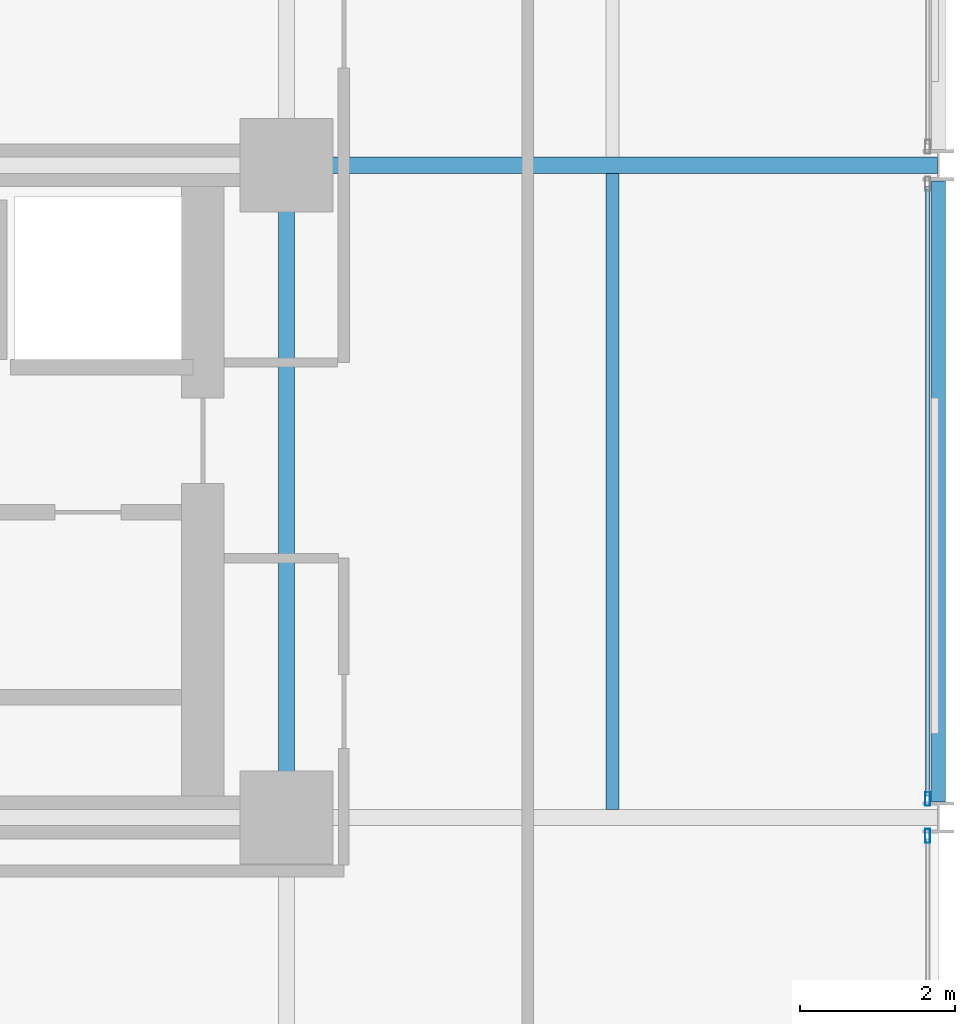
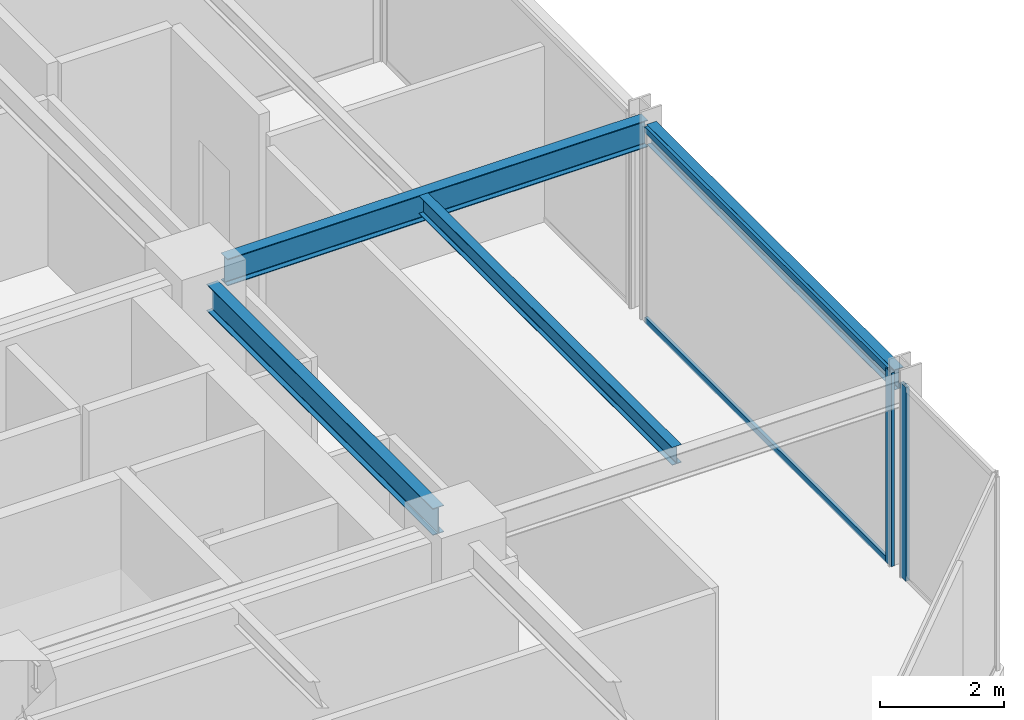
# One storey, part 14 of 29: 4 beams, 4 members, 2 elements without a shape of their own.
"""IFC4 building model written with IfcOpenShell, lengths in metres."""

from ifc_helpers import new_model, si_unit, direction, frame, origin, origin_2d, place, context, subcontext, project, spatial, hollow_rectangle, i_section, extrude, material, layer, layer_set, material_profile, profile_set, type_object, element, aggregate, save


model = new_model("IFC4")

# Units and contexts
model_context = context("Model", 3, precision=1e-05, world=origin(), true_north=direction((0.0, 1.0)))
body_context = subcontext(model_context, "Body", "Model", "MODEL_VIEW")
ifc_project = project(units=[si_unit("LENGTHUNIT", "METRE"), si_unit("AREAUNIT", "SQUARE_METRE"), si_unit("VOLUMEUNIT", "CUBIC_METRE"), si_unit("PLANEANGLEUNIT", "RADIAN"), si_unit("MASSUNIT", "GRAM", prefix="KILO")], contexts=[model_context])

# Site, building, storey
site_placement = place(None, origin())
site = spatial("IfcSite", under=ifc_project, at=site_placement, CompositionType="ELEMENT")
building_placement = place(site_placement, origin())
building = spatial("IfcBuilding", under=site, at=building_placement, Name="Nerrivon Quay Data Exchange", CompositionType="ELEMENT")
storey_placement = place(building_placement, frame((0.0, 0.0, 150.0)))
storey = spatial("IfcBuildingStorey", under=building, at=storey_placement, Name="L35", CompositionType="ELEMENT", Elevation=150.0)

# Beams
ifc_material_1 = material(Name="Steel Grade 350", Category="steel")
ifc_material_profile_1 = material_profile(ifc_material_1, i_section(OverallWidth=0.208984375, OverallDepth=0.532958984375, WebThickness=0.01025390625, FlangeThickness=0.015625, FilletRadius=0.013916015625, at=origin_2d()), Name="530UB92.4")
ifc_profile_set_1 = profile_set([ifc_material_profile_1], Name="Steel Grade 350")
beam_type_1 = type_object("IfcBeamType", Name="BM-G3-530UB92", PredefinedType="BEAM", material=ifc_profile_set_1)
beam_1_placement = place(storey_placement, frame((34.139892578125, 16.800048828125, 3.55859375), z_axis=(1.0, 0.0, 0.0), x_axis=(0.0, 1.0, 0.0)))
element("IfcBeam", 1, at=beam_1_placement, inside=storey, type_object=beam_type_1, Name="L35 EW Girder Y=16.8 (33.6..42.0)", PredefinedType="BEAM", context=body_context, shape_type="SweptSolid", body=[
    extrude(i_section(OverallWidth=0.208984375, OverallDepth=0.532958984375, WebThickness=0.01025390625, FlangeThickness=0.015625, FilletRadius=0.013916015625, at=origin_2d()), origin(), (0.0, 0.0, 1.0), 7.84765625),
])
ifc_material_profile_2 = material_profile(ifc_material_1, i_section(OverallWidth=0.208984375, OverallDepth=0.528076171875, WebThickness=0.009521484375, FlangeThickness=0.01318359375, FilletRadius=0.013916015625, at=origin_2d()), Name="530UB82.0")
ifc_profile_set_2 = profile_set([ifc_material_profile_2], Name="Steel Grade 350")
beam_type_2 = type_object("IfcBeamType", Name="BM-G4-530UB82", PredefinedType="BEAM", material=ifc_profile_set_2)
beam_2_placement = place(storey_placement, frame((33.60009765625, 8.93994140625, 3.56103515625), z_axis=(0.0, 1.0, 0.0), x_axis=(-1.0, 0.0, 0.0)))
element("IfcBeam", 2, at=beam_2_placement, inside=storey, type_object=beam_type_2, Name="L35 NS Girder X=33.6 (8.4..16.8)", PredefinedType="BEAM", context=body_context, shape_type="SweptSolid", body=[
    extrude(i_section(OverallWidth=0.208984375, OverallDepth=0.528076171875, WebThickness=0.009521484375, FlangeThickness=0.01318359375, FilletRadius=0.013916015625, at=origin_2d()), origin(), (0.0, 0.0, 1.0), 7.320068359375),
])
ifc_material_profile_3 = material_profile(ifc_material_1, i_section(OverallWidth=0.1708984375, OverallDepth=0.35595703125, WebThickness=0.00732421875, FlangeThickness=0.011474609375, FilletRadius=0.011474609375, at=origin_2d()), Name="360UB50.7")
ifc_profile_set_3 = profile_set([ifc_material_profile_3], Name="Steel Grade 350")
beam_type_3 = type_object("IfcBeamType", Name="BM-J4-360UB51", PredefinedType="JOIST", material=ifc_profile_set_3)
beam_3_placement = place(storey_placement, frame((37.800048828125, 8.50439453125, 3.64697265625), z_axis=(0.0, 1.0, 0.0), x_axis=(-1.0, 0.0, 0.0)))
element("IfcBeam", 3, at=beam_3_placement, inside=storey, type_object=beam_type_3, Name="L35 Secondary Joist X=37.8 (8.4..16.8)", PredefinedType="JOIST", context=body_context, shape_type="SweptSolid", body=[
    extrude(i_section(OverallWidth=0.1708984375, OverallDepth=0.35595703125, WebThickness=0.00732421875, FlangeThickness=0.011474609375, FilletRadius=0.011474609375, at=origin_2d()), origin(), (0.0, 0.0, 1.0), 8.191162109375),
])
ifc_material_profile_4 = material_profile(ifc_material_1, i_section(OverallWidth=0.177978515625, OverallDepth=0.403076171875, WebThickness=0.007568359375, FlangeThickness=0.010986328125, FilletRadius=0.011474609375, at=origin_2d()), Name="410UB53.7")
ifc_profile_set_4 = profile_set([ifc_material_profile_4], Name="Steel Grade 350")
beam_type_4 = type_object("IfcBeamType", Name="BM-SP2-410UB54", PredefinedType="SPANDREL", material=ifc_profile_set_4)
beam_4_placement = place(storey_placement, frame((42.0, 8.60009765625, 3.62353515625), z_axis=(0.0, 1.0, 0.0), x_axis=(-1.0, 0.0, 0.0)))
element("IfcBeam", 4, at=beam_4_placement, inside=storey, type_object=beam_type_4, Name="L35 NS Girder X=42.0 (8.4..16.8)", PredefinedType="SPANDREL", context=body_context, shape_type="SweptSolid", body=[
    extrude(i_section(OverallWidth=0.177978515625, OverallDepth=0.403076171875, WebThickness=0.007568359375, FlangeThickness=0.010986328125, FilletRadius=0.011474609375, at=origin_2d()), origin(), (0.0, 0.0, 1.0), 8.0),
])

# Curtain wall, member
ifc_material_2 = material(Name="Anodised aluminium 6063-T6", Category="aluminium")
ifc_layer = layer(ifc_material_2, 0.2099609375)
ifc_layer_set = layer_set([ifc_layer], Name="Anodised aluminium 6063-T6")
curtain_wall_type = type_object("IfcCurtainWallType", Name="CW-SYS-02", PredefinedType="NOTDEFINED", material=ifc_layer_set)
curtain_wall_1_placement = place(storey_placement, origin())
curtain_wall_1 = element("IfcCurtainWall", 5, at=curtain_wall_1_placement, inside=storey, type_object=curtain_wall_type, Name="L35 Unitised Curtain Wall 29", PredefinedType="NOTDEFINED")
ifc_material_profile_5 = material_profile(ifc_material_2, hollow_rectangle(XDim=0.06494140625, YDim=0.179931640625, WallThickness=0.00341796875, at=origin_2d()), Name="ALU-MULL-180x65")
ifc_profile_set_5 = profile_set([ifc_material_profile_5], Name="Anodised aluminium 6063-T6")
member_type_1 = type_object("IfcMemberType", Name="CWM-180x65", PredefinedType="MULLION", material=ifc_profile_set_5)
member_1_placement = place(storey_placement, frame((41.860107421875, 8.637451171875, 0.0), z_axis=(0.0, 0.0, 1.0), x_axis=(1.0, 0.0, 0.0)))
member_1 = element("IfcMember", 6, at=member_1_placement, type_object=member_type_1, Name="CW02 mullion 2", PredefinedType="MULLION", context=body_context, shape_type="SweptSolid", body=[
    extrude(hollow_rectangle(XDim=0.06494140625, YDim=0.179931640625, WallThickness=0.00341796875, at=origin_2d()), origin(), (0.0, 0.0, 1.0), 3.824951171875),
])

curtain_wall_2_placement = place(storey_placement, origin())
curtain_wall_2 = element("IfcCurtainWall", 7, at=curtain_wall_2_placement, inside=storey, type_object=curtain_wall_type, Name="L35 Unitised Curtain Wall 30", PredefinedType="NOTDEFINED")
member_2_placement = place(storey_placement, frame((41.860107421875, 8.16259765625, 0.0), z_axis=(0.0, 0.0, 1.0), x_axis=(1.0, 0.0, 0.0)))
member_2 = element("IfcMember", 8, at=member_2_placement, type_object=member_type_1, Name="CW02 mullion 1", PredefinedType="MULLION", context=body_context, shape_type="SweptSolid", body=[
    extrude(hollow_rectangle(XDim=0.06494140625, YDim=0.179931640625, WallThickness=0.00341796875, at=origin_2d()), origin(), (0.0, 0.0, 1.0), 3.824951171875),
])
aggregate(curtain_wall_2, [member_2])

# Member
ifc_material_profile_6 = material_profile(ifc_material_2, hollow_rectangle(XDim=0.06005859375, YDim=0.1201171875, WallThickness=0.003173828125, at=origin_2d()), Name="ALU-TRAN-120x60")
ifc_profile_set_6 = profile_set([ifc_material_profile_6], Name="Anodised aluminium 6063-T6")
member_type_2 = type_object("IfcMemberType", Name="CWT-120x60", PredefinedType="USERDEFINED", material=ifc_profile_set_6)
member_3_placement = place(storey_placement, frame((41.860107421875, 16.52490234375, 0.032470703125), z_axis=(0.0, -1.0, 0.0), x_axis=(1.0, 0.0, 0.0)))
member_3 = element("IfcMember", 9, at=member_3_placement, type_object=member_type_2, Name="CW02 transom 1.1", ObjectType="TRANSOM", PredefinedType="USERDEFINED", context=body_context, shape_type="SweptSolid", body=[
    extrude(hollow_rectangle(XDim=0.06005859375, YDim=0.1201171875, WallThickness=0.003173828125, at=origin_2d()), origin(), (0.0, 0.0, 1.0), 7.849853515625),
])

member_4_placement = place(storey_placement, frame((41.860107421875, 16.52490234375, 3.79248046875), z_axis=(0.0, -1.0, 0.0), x_axis=(1.0, 0.0, 0.0)))
member_4 = element("IfcMember", 10, at=member_4_placement, type_object=member_type_2, Name="CW02 transom 1.2", ObjectType="TRANSOM", PredefinedType="USERDEFINED", context=body_context, shape_type="SweptSolid", body=[
    extrude(hollow_rectangle(XDim=0.06005859375, YDim=0.1201171875, WallThickness=0.003173828125, at=origin_2d()), origin(), (0.0, 0.0, 1.0), 7.849853515625),
])

aggregate(curtain_wall_1, [member_1, member_3, member_4])

save(model, "model.ifc")
